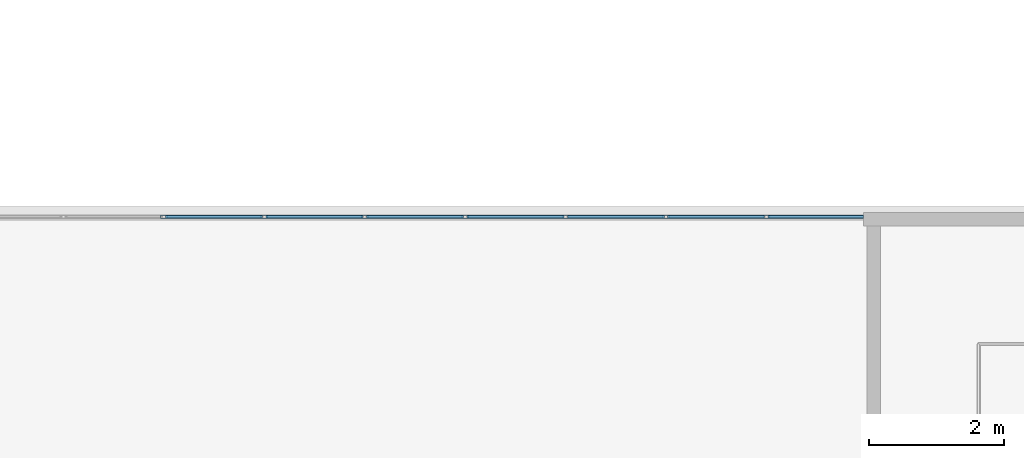
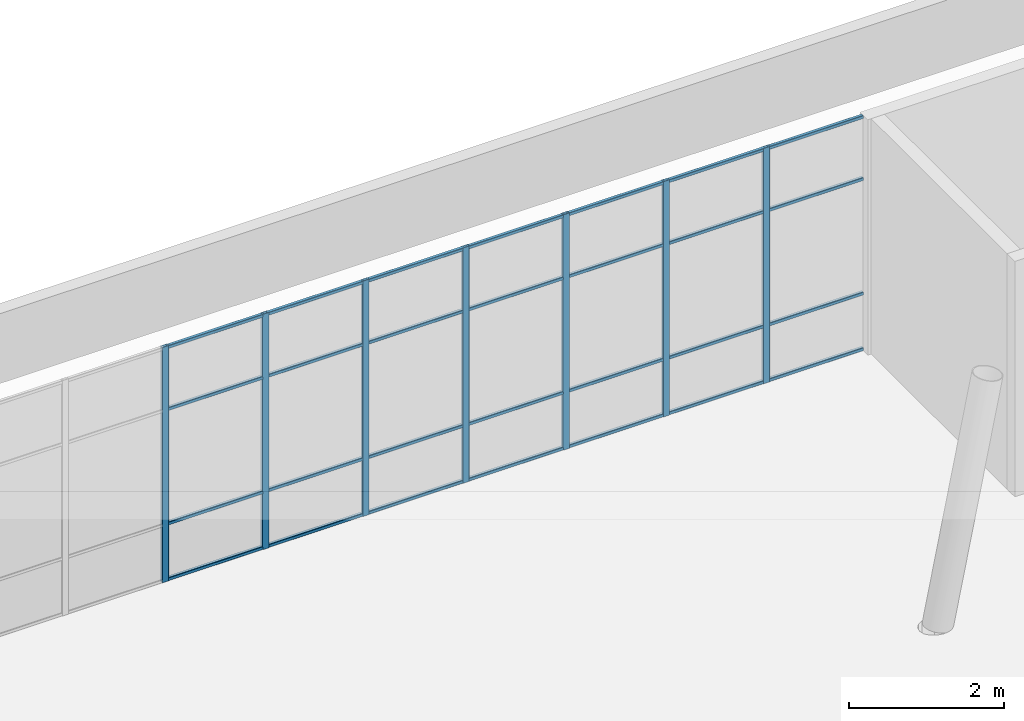
# One storey, part 30 of 72: 35 members, 1 element without a shape of its own.
"""IFC4 building model written with IfcOpenShell, lengths in metres."""

from ifc_helpers import new_model, si_unit, direction, frame, origin, origin_2d, place, context, subcontext, project, spatial, hollow_rectangle, extrude, material, layer, layer_set, material_profile, profile_set, type_object, element, aggregate, save


model = new_model("IFC4")

# Units and contexts
model_context = context("Model", 3, precision=1e-05, world=origin(), true_north=direction((0.0, 1.0)))
body_context = subcontext(model_context, "Body", "Model", "MODEL_VIEW")
ifc_project = project(units=[si_unit("LENGTHUNIT", "METRE"), si_unit("AREAUNIT", "SQUARE_METRE"), si_unit("VOLUMEUNIT", "CUBIC_METRE"), si_unit("PLANEANGLEUNIT", "RADIAN"), si_unit("MASSUNIT", "GRAM", prefix="KILO")], contexts=[model_context])

# Site, building, storey
site_placement = place(None, origin())
site = spatial("IfcSite", under=ifc_project, at=site_placement, CompositionType="ELEMENT")
building_placement = place(site_placement, origin())
building = spatial("IfcBuilding", under=site, at=building_placement, Name="Tuart Plaza Theatre", CompositionType="ELEMENT")
storey_placement = place(building_placement, frame((0.0, 0.0, 13.5)))
storey = spatial("IfcBuildingStorey", under=building, at=storey_placement, Name="L03", CompositionType="ELEMENT", Elevation=13.5)

# Curtain wall, members
ifc_material_1 = material(Name="Aluminium and glass", Category="aluminium")
ifc_layer = layer(ifc_material_1, 0.10009765625)
ifc_layer_set = layer_set([ifc_layer], Name="CURTAIN WALL 1500 module")
curtain_wall_type = type_object("IfcCurtainWallType", Name="CURTAIN WALL 1500 module", PredefinedType="NOTDEFINED", material=ifc_layer_set)
curtain_wall_placement = place(storey_placement, origin())
curtain_wall = element("IfcCurtainWall", 1, at=curtain_wall_placement, inside=storey, type_object=curtain_wall_type, Name="CW44", PredefinedType="NOTDEFINED")
ifc_material_2 = material(Name="Aluminium 6063-T5", Category="aluminium")
ifc_material_profile_1 = material_profile(ifc_material_2, hollow_rectangle(XDim=0.050048828125, YDim=0.10009765625, WallThickness=0.00390625, InnerFilletRadius=0.00390625, OuterFilletRadius=0.008056640625, at=origin_2d()), Name="RHS 100x50x4")
ifc_profile_set_1 = profile_set([ifc_material_profile_1], Name="Aluminium 6063-T5")
member_type_1 = type_object("IfcMemberType", Name="MULLION RHS 100x50x4", PredefinedType="MULLION", material=ifc_profile_set_1)
member_1_placement = place(storey_placement, frame((81.572998046875, 79.8369140625, 0.0), z_axis=(0.0, 0.0, 1.0), x_axis=(0.0, 1.0, 0.0)))
member_1 = element("IfcMember", 2, at=member_1_placement, type_object=member_type_1, Name="CW44 mullion 3", PredefinedType="MULLION", context=body_context, shape_type="SweptSolid", body=[
    extrude(hollow_rectangle(XDim=0.050048828125, YDim=0.10009765625, WallThickness=0.00390625, InnerFilletRadius=0.00390625, OuterFilletRadius=0.008056640625, at=origin_2d()), origin(), (0.0, 0.0, 1.0), 3.699951171875),
])
member_2_placement = place(storey_placement, frame((83.062744140625, 79.8369140625, 0.0), z_axis=(0.0, 0.0, 1.0), x_axis=(0.0, 1.0, 0.0)))
member_2 = element("IfcMember", 3, at=member_2_placement, type_object=member_type_1, Name="CW44 mullion 4", PredefinedType="MULLION", context=body_context, shape_type="SweptSolid", body=[
    extrude(hollow_rectangle(XDim=0.050048828125, YDim=0.10009765625, WallThickness=0.00390625, InnerFilletRadius=0.00390625, OuterFilletRadius=0.008056640625, at=origin_2d()), origin(), (0.0, 0.0, 1.0), 3.699951171875),
])
member_3_placement = place(storey_placement, frame((84.55224609375, 79.8369140625, 0.0), z_axis=(0.0, 0.0, 1.0), x_axis=(0.0, 1.0, 0.0)))
member_3 = element("IfcMember", 4, at=member_3_placement, type_object=member_type_1, Name="CW44 mullion 5", PredefinedType="MULLION", context=body_context, shape_type="SweptSolid", body=[
    extrude(hollow_rectangle(XDim=0.050048828125, YDim=0.10009765625, WallThickness=0.00390625, InnerFilletRadius=0.00390625, OuterFilletRadius=0.008056640625, at=origin_2d()), origin(), (0.0, 0.0, 1.0), 3.699951171875),
])
member_4_placement = place(storey_placement, frame((86.041748046875, 79.8369140625, 0.0), z_axis=(0.0, 0.0, 1.0), x_axis=(0.0, 1.0, 0.0)))
member_4 = element("IfcMember", 5, at=member_4_placement, type_object=member_type_1, Name="CW44 mullion 6", PredefinedType="MULLION", context=body_context, shape_type="SweptSolid", body=[
    extrude(hollow_rectangle(XDim=0.050048828125, YDim=0.10009765625, WallThickness=0.00390625, InnerFilletRadius=0.00390625, OuterFilletRadius=0.008056640625, at=origin_2d()), origin(), (0.0, 0.0, 1.0), 3.699951171875),
])
member_5_placement = place(storey_placement, frame((87.53125, 79.8369140625, 0.0), z_axis=(0.0, 0.0, 1.0), x_axis=(0.0, 1.0, 0.0)))
member_5 = element("IfcMember", 6, at=member_5_placement, type_object=member_type_1, Name="CW44 mullion 7", PredefinedType="MULLION", context=body_context, shape_type="SweptSolid", body=[
    extrude(hollow_rectangle(XDim=0.050048828125, YDim=0.10009765625, WallThickness=0.00390625, InnerFilletRadius=0.00390625, OuterFilletRadius=0.008056640625, at=origin_2d()), origin(), (0.0, 0.0, 1.0), 3.699951171875),
])
member_6_placement = place(storey_placement, frame((89.02099609375, 79.8369140625, 0.0), z_axis=(0.0, 0.0, 1.0), x_axis=(0.0, 1.0, 0.0)))
member_6 = element("IfcMember", 7, at=member_6_placement, type_object=member_type_1, Name="CW44 mullion 8", PredefinedType="MULLION", context=body_context, shape_type="SweptSolid", body=[
    extrude(hollow_rectangle(XDim=0.050048828125, YDim=0.10009765625, WallThickness=0.00390625, InnerFilletRadius=0.00390625, OuterFilletRadius=0.008056640625, at=origin_2d()), origin(), (0.0, 0.0, 1.0), 3.699951171875),
])
member_7_placement = place(storey_placement, frame((90.510498046875, 79.8369140625, 0.0), z_axis=(0.0, 0.0, 1.0), x_axis=(0.0, 1.0, 0.0)))
member_7 = element("IfcMember", 8, at=member_7_placement, type_object=member_type_1, Name="CW44 mullion 9", PredefinedType="MULLION", context=body_context, shape_type="SweptSolid", body=[
    extrude(hollow_rectangle(XDim=0.050048828125, YDim=0.10009765625, WallThickness=0.00390625, InnerFilletRadius=0.00390625, OuterFilletRadius=0.008056640625, at=origin_2d()), origin(), (0.0, 0.0, 1.0), 3.699951171875),
])
ifc_material_3 = material(Name="Aluminium 6063-T5", Category="aluminium")
ifc_material_profile_2 = material_profile(ifc_material_3, hollow_rectangle(XDim=0.050048828125, YDim=0.050048828125, WallThickness=0.00390625, InnerFilletRadius=0.00390625, OuterFilletRadius=0.008056640625, at=origin_2d()), Name="RHS 50x50x4")
ifc_profile_set_2 = profile_set([ifc_material_profile_2], Name="Aluminium 6063-T5")
member_type_2 = type_object("IfcMemberType", Name="TRANSOM RHS 50x50x4", PredefinedType="USERDEFINED", material=ifc_profile_set_2)
member_8_placement = place(storey_placement, frame((81.59814453125, 79.8369140625, 0.02490234375), z_axis=(1.0, 0.0, 0.0), x_axis=(0.0, 1.0, 0.0)))
member_8 = element("IfcMember", 9, at=member_8_placement, type_object=member_type_2, Name="CW44 transom 3.1", ObjectType="TRANSOM", PredefinedType="USERDEFINED", context=body_context, shape_type="SweptSolid", body=[
    extrude(hollow_rectangle(XDim=0.050048828125, YDim=0.050048828125, WallThickness=0.00390625, InnerFilletRadius=0.00390625, OuterFilletRadius=0.008056640625, at=origin_2d()), origin(), (0.0, 0.0, 1.0), 1.439453125),
])
member_9_placement = place(storey_placement, frame((81.59814453125, 79.8369140625, 0.89990234375), z_axis=(1.0, 0.0, 0.0), x_axis=(0.0, 1.0, 0.0)))
member_9 = element("IfcMember", 10, at=member_9_placement, type_object=member_type_2, Name="CW44 transom 3.2", ObjectType="TRANSOM", PredefinedType="USERDEFINED", context=body_context, shape_type="SweptSolid", body=[
    extrude(hollow_rectangle(XDim=0.050048828125, YDim=0.050048828125, WallThickness=0.00390625, InnerFilletRadius=0.00390625, OuterFilletRadius=0.008056640625, at=origin_2d()), origin(), (0.0, 0.0, 1.0), 1.439453125),
])
member_10_placement = place(storey_placement, frame((81.59814453125, 79.8369140625, 2.699951171875), z_axis=(1.0, 0.0, 0.0), x_axis=(0.0, 1.0, 0.0)))
member_10 = element("IfcMember", 11, at=member_10_placement, type_object=member_type_2, Name="CW44 transom 3.3", ObjectType="TRANSOM", PredefinedType="USERDEFINED", context=body_context, shape_type="SweptSolid", body=[
    extrude(hollow_rectangle(XDim=0.050048828125, YDim=0.050048828125, WallThickness=0.00390625, InnerFilletRadius=0.00390625, OuterFilletRadius=0.008056640625, at=origin_2d()), origin(), (0.0, 0.0, 1.0), 1.439453125),
])
member_11_placement = place(storey_placement, frame((81.59814453125, 79.8369140625, 3.675048828125), z_axis=(1.0, 0.0, 0.0), x_axis=(0.0, 1.0, 0.0)))
member_11 = element("IfcMember", 12, at=member_11_placement, type_object=member_type_2, Name="CW44 transom 3.4", ObjectType="TRANSOM", PredefinedType="USERDEFINED", context=body_context, shape_type="SweptSolid", body=[
    extrude(hollow_rectangle(XDim=0.050048828125, YDim=0.050048828125, WallThickness=0.00390625, InnerFilletRadius=0.00390625, OuterFilletRadius=0.008056640625, at=origin_2d()), origin(), (0.0, 0.0, 1.0), 1.439453125),
])
member_12_placement = place(storey_placement, frame((83.087646484375, 79.8369140625, 0.02490234375), z_axis=(1.0, 0.0, 0.0), x_axis=(0.0, 1.0, 0.0)))
member_12 = element("IfcMember", 13, at=member_12_placement, type_object=member_type_2, Name="CW44 transom 4.1", ObjectType="TRANSOM", PredefinedType="USERDEFINED", context=body_context, shape_type="SweptSolid", body=[
    extrude(hollow_rectangle(XDim=0.050048828125, YDim=0.050048828125, WallThickness=0.00390625, InnerFilletRadius=0.00390625, OuterFilletRadius=0.008056640625, at=origin_2d()), origin(), (0.0, 0.0, 1.0), 1.439697265625),
])
member_13_placement = place(storey_placement, frame((83.087646484375, 79.8369140625, 0.89990234375), z_axis=(1.0, 0.0, 0.0), x_axis=(0.0, 1.0, 0.0)))
member_13 = element("IfcMember", 14, at=member_13_placement, type_object=member_type_2, Name="CW44 transom 4.2", ObjectType="TRANSOM", PredefinedType="USERDEFINED", context=body_context, shape_type="SweptSolid", body=[
    extrude(hollow_rectangle(XDim=0.050048828125, YDim=0.050048828125, WallThickness=0.00390625, InnerFilletRadius=0.00390625, OuterFilletRadius=0.008056640625, at=origin_2d()), origin(), (0.0, 0.0, 1.0), 1.439697265625),
])
member_14_placement = place(storey_placement, frame((83.087646484375, 79.8369140625, 2.699951171875), z_axis=(1.0, 0.0, 0.0), x_axis=(0.0, 1.0, 0.0)))
member_14 = element("IfcMember", 15, at=member_14_placement, type_object=member_type_2, Name="CW44 transom 4.3", ObjectType="TRANSOM", PredefinedType="USERDEFINED", context=body_context, shape_type="SweptSolid", body=[
    extrude(hollow_rectangle(XDim=0.050048828125, YDim=0.050048828125, WallThickness=0.00390625, InnerFilletRadius=0.00390625, OuterFilletRadius=0.008056640625, at=origin_2d()), origin(), (0.0, 0.0, 1.0), 1.439697265625),
])
member_15_placement = place(storey_placement, frame((83.087646484375, 79.8369140625, 3.675048828125), z_axis=(1.0, 0.0, 0.0), x_axis=(0.0, 1.0, 0.0)))
member_15 = element("IfcMember", 16, at=member_15_placement, type_object=member_type_2, Name="CW44 transom 4.4", ObjectType="TRANSOM", PredefinedType="USERDEFINED", context=body_context, shape_type="SweptSolid", body=[
    extrude(hollow_rectangle(XDim=0.050048828125, YDim=0.050048828125, WallThickness=0.00390625, InnerFilletRadius=0.00390625, OuterFilletRadius=0.008056640625, at=origin_2d()), origin(), (0.0, 0.0, 1.0), 1.439697265625),
])
member_16_placement = place(storey_placement, frame((84.5771484375, 79.8369140625, 0.02490234375), z_axis=(1.0, 0.0, 0.0), x_axis=(0.0, 1.0, 0.0)))
member_16 = element("IfcMember", 17, at=member_16_placement, type_object=member_type_2, Name="CW44 transom 5.1", ObjectType="TRANSOM", PredefinedType="USERDEFINED", context=body_context, shape_type="SweptSolid", body=[
    extrude(hollow_rectangle(XDim=0.050048828125, YDim=0.050048828125, WallThickness=0.00390625, InnerFilletRadius=0.00390625, OuterFilletRadius=0.008056640625, at=origin_2d()), origin(), (0.0, 0.0, 1.0), 1.439697265625),
])
member_17_placement = place(storey_placement, frame((84.5771484375, 79.8369140625, 0.89990234375), z_axis=(1.0, 0.0, 0.0), x_axis=(0.0, 1.0, 0.0)))
member_17 = element("IfcMember", 18, at=member_17_placement, type_object=member_type_2, Name="CW44 transom 5.2", ObjectType="TRANSOM", PredefinedType="USERDEFINED", context=body_context, shape_type="SweptSolid", body=[
    extrude(hollow_rectangle(XDim=0.050048828125, YDim=0.050048828125, WallThickness=0.00390625, InnerFilletRadius=0.00390625, OuterFilletRadius=0.008056640625, at=origin_2d()), origin(), (0.0, 0.0, 1.0), 1.439697265625),
])
member_18_placement = place(storey_placement, frame((84.5771484375, 79.8369140625, 2.699951171875), z_axis=(1.0, 0.0, 0.0), x_axis=(0.0, 1.0, 0.0)))
member_18 = element("IfcMember", 19, at=member_18_placement, type_object=member_type_2, Name="CW44 transom 5.3", ObjectType="TRANSOM", PredefinedType="USERDEFINED", context=body_context, shape_type="SweptSolid", body=[
    extrude(hollow_rectangle(XDim=0.050048828125, YDim=0.050048828125, WallThickness=0.00390625, InnerFilletRadius=0.00390625, OuterFilletRadius=0.008056640625, at=origin_2d()), origin(), (0.0, 0.0, 1.0), 1.439697265625),
])
member_19_placement = place(storey_placement, frame((84.5771484375, 79.8369140625, 3.675048828125), z_axis=(1.0, 0.0, 0.0), x_axis=(0.0, 1.0, 0.0)))
member_19 = element("IfcMember", 20, at=member_19_placement, type_object=member_type_2, Name="CW44 transom 5.4", ObjectType="TRANSOM", PredefinedType="USERDEFINED", context=body_context, shape_type="SweptSolid", body=[
    extrude(hollow_rectangle(XDim=0.050048828125, YDim=0.050048828125, WallThickness=0.00390625, InnerFilletRadius=0.00390625, OuterFilletRadius=0.008056640625, at=origin_2d()), origin(), (0.0, 0.0, 1.0), 1.439697265625),
])
member_20_placement = place(storey_placement, frame((86.06689453125, 79.8369140625, 0.02490234375), z_axis=(1.0, 0.0, 0.0), x_axis=(0.0, 1.0, 0.0)))
member_20 = element("IfcMember", 21, at=member_20_placement, type_object=member_type_2, Name="CW44 transom 6.1", ObjectType="TRANSOM", PredefinedType="USERDEFINED", context=body_context, shape_type="SweptSolid", body=[
    extrude(hollow_rectangle(XDim=0.050048828125, YDim=0.050048828125, WallThickness=0.00390625, InnerFilletRadius=0.00390625, OuterFilletRadius=0.008056640625, at=origin_2d()), origin(), (0.0, 0.0, 1.0), 1.439453125),
])
member_21_placement = place(storey_placement, frame((86.06689453125, 79.8369140625, 0.89990234375), z_axis=(1.0, 0.0, 0.0), x_axis=(0.0, 1.0, 0.0)))
member_21 = element("IfcMember", 22, at=member_21_placement, type_object=member_type_2, Name="CW44 transom 6.2", ObjectType="TRANSOM", PredefinedType="USERDEFINED", context=body_context, shape_type="SweptSolid", body=[
    extrude(hollow_rectangle(XDim=0.050048828125, YDim=0.050048828125, WallThickness=0.00390625, InnerFilletRadius=0.00390625, OuterFilletRadius=0.008056640625, at=origin_2d()), origin(), (0.0, 0.0, 1.0), 1.439453125),
])
member_22_placement = place(storey_placement, frame((86.06689453125, 79.8369140625, 2.699951171875), z_axis=(1.0, 0.0, 0.0), x_axis=(0.0, 1.0, 0.0)))
member_22 = element("IfcMember", 23, at=member_22_placement, type_object=member_type_2, Name="CW44 transom 6.3", ObjectType="TRANSOM", PredefinedType="USERDEFINED", context=body_context, shape_type="SweptSolid", body=[
    extrude(hollow_rectangle(XDim=0.050048828125, YDim=0.050048828125, WallThickness=0.00390625, InnerFilletRadius=0.00390625, OuterFilletRadius=0.008056640625, at=origin_2d()), origin(), (0.0, 0.0, 1.0), 1.439453125),
])
member_23_placement = place(storey_placement, frame((86.06689453125, 79.8369140625, 3.675048828125), z_axis=(1.0, 0.0, 0.0), x_axis=(0.0, 1.0, 0.0)))
member_23 = element("IfcMember", 24, at=member_23_placement, type_object=member_type_2, Name="CW44 transom 6.4", ObjectType="TRANSOM", PredefinedType="USERDEFINED", context=body_context, shape_type="SweptSolid", body=[
    extrude(hollow_rectangle(XDim=0.050048828125, YDim=0.050048828125, WallThickness=0.00390625, InnerFilletRadius=0.00390625, OuterFilletRadius=0.008056640625, at=origin_2d()), origin(), (0.0, 0.0, 1.0), 1.439453125),
])
member_24_placement = place(storey_placement, frame((87.556396484375, 79.8369140625, 0.02490234375), z_axis=(1.0, 0.0, 0.0), x_axis=(0.0, 1.0, 0.0)))
member_24 = element("IfcMember", 25, at=member_24_placement, type_object=member_type_2, Name="CW44 transom 7.1", ObjectType="TRANSOM", PredefinedType="USERDEFINED", context=body_context, shape_type="SweptSolid", body=[
    extrude(hollow_rectangle(XDim=0.050048828125, YDim=0.050048828125, WallThickness=0.00390625, InnerFilletRadius=0.00390625, OuterFilletRadius=0.008056640625, at=origin_2d()), origin(), (0.0, 0.0, 1.0), 1.439453125),
])
member_25_placement = place(storey_placement, frame((87.556396484375, 79.8369140625, 0.89990234375), z_axis=(1.0, 0.0, 0.0), x_axis=(0.0, 1.0, 0.0)))
member_25 = element("IfcMember", 26, at=member_25_placement, type_object=member_type_2, Name="CW44 transom 7.2", ObjectType="TRANSOM", PredefinedType="USERDEFINED", context=body_context, shape_type="SweptSolid", body=[
    extrude(hollow_rectangle(XDim=0.050048828125, YDim=0.050048828125, WallThickness=0.00390625, InnerFilletRadius=0.00390625, OuterFilletRadius=0.008056640625, at=origin_2d()), origin(), (0.0, 0.0, 1.0), 1.439453125),
])
member_26_placement = place(storey_placement, frame((87.556396484375, 79.8369140625, 2.699951171875), z_axis=(1.0, 0.0, 0.0), x_axis=(0.0, 1.0, 0.0)))
member_26 = element("IfcMember", 27, at=member_26_placement, type_object=member_type_2, Name="CW44 transom 7.3", ObjectType="TRANSOM", PredefinedType="USERDEFINED", context=body_context, shape_type="SweptSolid", body=[
    extrude(hollow_rectangle(XDim=0.050048828125, YDim=0.050048828125, WallThickness=0.00390625, InnerFilletRadius=0.00390625, OuterFilletRadius=0.008056640625, at=origin_2d()), origin(), (0.0, 0.0, 1.0), 1.439453125),
])
member_27_placement = place(storey_placement, frame((87.556396484375, 79.8369140625, 3.675048828125), z_axis=(1.0, 0.0, 0.0), x_axis=(0.0, 1.0, 0.0)))
member_27 = element("IfcMember", 28, at=member_27_placement, type_object=member_type_2, Name="CW44 transom 7.4", ObjectType="TRANSOM", PredefinedType="USERDEFINED", context=body_context, shape_type="SweptSolid", body=[
    extrude(hollow_rectangle(XDim=0.050048828125, YDim=0.050048828125, WallThickness=0.00390625, InnerFilletRadius=0.00390625, OuterFilletRadius=0.008056640625, at=origin_2d()), origin(), (0.0, 0.0, 1.0), 1.439453125),
])
member_28_placement = place(storey_placement, frame((89.0458984375, 79.8369140625, 0.02490234375), z_axis=(1.0, 0.0, 0.0), x_axis=(0.0, 1.0, 0.0)))
member_28 = element("IfcMember", 29, at=member_28_placement, type_object=member_type_2, Name="CW44 transom 8.1", ObjectType="TRANSOM", PredefinedType="USERDEFINED", context=body_context, shape_type="SweptSolid", body=[
    extrude(hollow_rectangle(XDim=0.050048828125, YDim=0.050048828125, WallThickness=0.00390625, InnerFilletRadius=0.00390625, OuterFilletRadius=0.008056640625, at=origin_2d()), origin(), (0.0, 0.0, 1.0), 1.439453125),
])
member_29_placement = place(storey_placement, frame((89.0458984375, 79.8369140625, 0.89990234375), z_axis=(1.0, 0.0, 0.0), x_axis=(0.0, 1.0, 0.0)))
member_29 = element("IfcMember", 30, at=member_29_placement, type_object=member_type_2, Name="CW44 transom 8.2", ObjectType="TRANSOM", PredefinedType="USERDEFINED", context=body_context, shape_type="SweptSolid", body=[
    extrude(hollow_rectangle(XDim=0.050048828125, YDim=0.050048828125, WallThickness=0.00390625, InnerFilletRadius=0.00390625, OuterFilletRadius=0.008056640625, at=origin_2d()), origin(), (0.0, 0.0, 1.0), 1.439453125),
])
member_30_placement = place(storey_placement, frame((89.0458984375, 79.8369140625, 2.699951171875), z_axis=(1.0, 0.0, 0.0), x_axis=(0.0, 1.0, 0.0)))
member_30 = element("IfcMember", 31, at=member_30_placement, type_object=member_type_2, Name="CW44 transom 8.3", ObjectType="TRANSOM", PredefinedType="USERDEFINED", context=body_context, shape_type="SweptSolid", body=[
    extrude(hollow_rectangle(XDim=0.050048828125, YDim=0.050048828125, WallThickness=0.00390625, InnerFilletRadius=0.00390625, OuterFilletRadius=0.008056640625, at=origin_2d()), origin(), (0.0, 0.0, 1.0), 1.439453125),
])
member_31_placement = place(storey_placement, frame((89.0458984375, 79.8369140625, 3.675048828125), z_axis=(1.0, 0.0, 0.0), x_axis=(0.0, 1.0, 0.0)))
member_31 = element("IfcMember", 32, at=member_31_placement, type_object=member_type_2, Name="CW44 transom 8.4", ObjectType="TRANSOM", PredefinedType="USERDEFINED", context=body_context, shape_type="SweptSolid", body=[
    extrude(hollow_rectangle(XDim=0.050048828125, YDim=0.050048828125, WallThickness=0.00390625, InnerFilletRadius=0.00390625, OuterFilletRadius=0.008056640625, at=origin_2d()), origin(), (0.0, 0.0, 1.0), 1.439453125),
])
member_32_placement = place(storey_placement, frame((90.535400390625, 79.8369140625, 0.02490234375), z_axis=(1.0, 0.0, 0.0), x_axis=(0.0, 1.0, 0.0)))
member_32 = element("IfcMember", 33, at=member_32_placement, type_object=member_type_2, Name="CW44 transom 9.1", ObjectType="TRANSOM", PredefinedType="USERDEFINED", context=body_context, shape_type="SweptSolid", body=[
    extrude(hollow_rectangle(XDim=0.050048828125, YDim=0.050048828125, WallThickness=0.00390625, InnerFilletRadius=0.00390625, OuterFilletRadius=0.008056640625, at=origin_2d()), origin(), (0.0, 0.0, 1.0), 1.41455078125),
])
member_33_placement = place(storey_placement, frame((90.535400390625, 79.8369140625, 0.89990234375), z_axis=(1.0, 0.0, 0.0), x_axis=(0.0, 1.0, 0.0)))
member_33 = element("IfcMember", 34, at=member_33_placement, type_object=member_type_2, Name="CW44 transom 9.2", ObjectType="TRANSOM", PredefinedType="USERDEFINED", context=body_context, shape_type="SweptSolid", body=[
    extrude(hollow_rectangle(XDim=0.050048828125, YDim=0.050048828125, WallThickness=0.00390625, InnerFilletRadius=0.00390625, OuterFilletRadius=0.008056640625, at=origin_2d()), origin(), (0.0, 0.0, 1.0), 1.41455078125),
])
member_34_placement = place(storey_placement, frame((90.535400390625, 79.8369140625, 2.699951171875), z_axis=(1.0, 0.0, 0.0), x_axis=(0.0, 1.0, 0.0)))
member_34 = element("IfcMember", 35, at=member_34_placement, type_object=member_type_2, Name="CW44 transom 9.3", ObjectType="TRANSOM", PredefinedType="USERDEFINED", context=body_context, shape_type="SweptSolid", body=[
    extrude(hollow_rectangle(XDim=0.050048828125, YDim=0.050048828125, WallThickness=0.00390625, InnerFilletRadius=0.00390625, OuterFilletRadius=0.008056640625, at=origin_2d()), origin(), (0.0, 0.0, 1.0), 1.41455078125),
])
member_35_placement = place(storey_placement, frame((90.535400390625, 79.8369140625, 3.675048828125), z_axis=(1.0, 0.0, 0.0), x_axis=(0.0, 1.0, 0.0)))
member_35 = element("IfcMember", 36, at=member_35_placement, type_object=member_type_2, Name="CW44 transom 9.4", ObjectType="TRANSOM", PredefinedType="USERDEFINED", context=body_context, shape_type="SweptSolid", body=[
    extrude(hollow_rectangle(XDim=0.050048828125, YDim=0.050048828125, WallThickness=0.00390625, InnerFilletRadius=0.00390625, OuterFilletRadius=0.008056640625, at=origin_2d()), origin(), (0.0, 0.0, 1.0), 1.41455078125),
])
aggregate(curtain_wall, [member_1, member_2, member_3, member_4, member_5, member_6, member_7, member_8, member_9, member_10, member_11, member_12, member_13, member_14, member_15, member_16, member_17, member_18, member_19, member_20, member_21, member_22, member_23, member_24, member_25, member_26, member_27, member_28, member_29, member_30, member_31, member_32, member_33, member_34, member_35])

save(model, "model.ifc")
